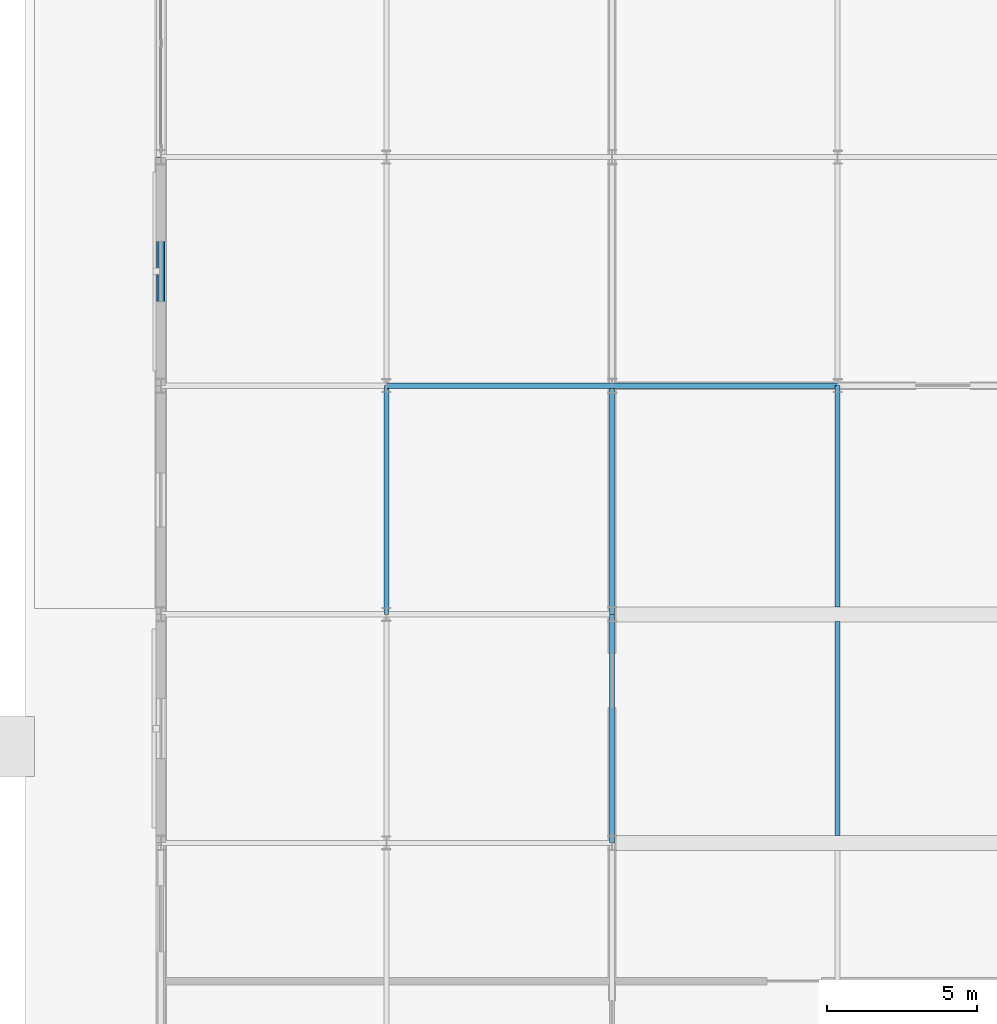
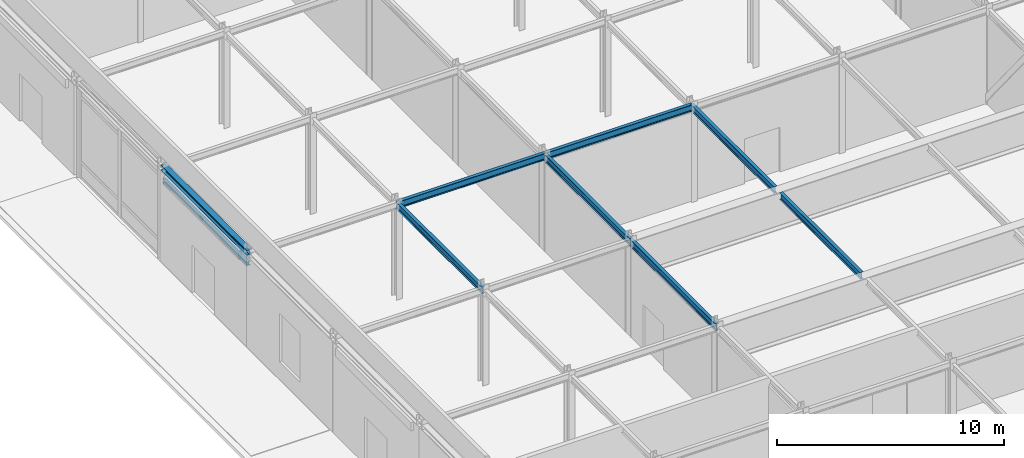
# One storey, part 22 of 89: 9 beams.
"""IFC4 building model written with IfcOpenShell, lengths in metres."""

import ifcopenshell
import ifcopenshell.guid

model = None  # the IFC model being written
_history = None  # IfcOwnerHistory: only IFC2X3 demands one
_inside = {}  # id of a spatial element -> (the spatial element, [elements in it])
_under = {}  # id of a project, library or spatial element -> (it, [spatial elements below it])
_declared = {}  # id of a project -> (the project, [libraries it declares])
_typed = {}  # id of a type object -> (the type object, [elements of that type])
_made_of = {}  # id of a material, layer set ... -> (it, [elements and type objects made of it])


def new_model(schema):
    """Start an empty IFC model of exactly this schema.

    Asked for "IFC4X3", IfcOpenShell would pick the latest addendum, in which some entities
    have other attributes; the version numbers below select the first issue.
    IFC2X3 requires an IfcOwnerHistory on every rooted entity: one is made here for all.
    """
    global model, _history
    if schema == "IFC4X3":
        model = ifcopenshell.file(schema_version=(4, 3, 0, 0))
    else:
        model = ifcopenshell.file(schema=schema)
    _inside.clear()
    _under.clear()
    _declared.clear()
    _typed.clear()
    _made_of.clear()
    _history = None
    if model.schema == "IFC2X3":
        org = make("IfcOrganization", Name="unknown")
        user = make(
            "IfcPersonAndOrganization",
            ThePerson=make("IfcPerson", FamilyName="unknown"),
            TheOrganization=org,
        )
        app = make(
            "IfcApplication",
            ApplicationDeveloper=org,
            Version="unknown",
            ApplicationFullName="unknown",
            ApplicationIdentifier="unknown",
        )
        _history = make(
            "IfcOwnerHistory",
            OwningUser=user,
            OwningApplication=app,
            ChangeAction="ADDED",
            CreationDate=0,
        )
    return model


def make(cls, **values):
    """One entity of the class cls with the attributes given. An attribute that is None is left unset."""
    return model.create_entity(
        cls, **{name: value for name, value in values.items() if value is not None}
    )


def rooted(cls, **values):
    """An entity with a GlobalId (a new one), such as an element, a storey or a relation."""
    return make(cls, GlobalId=ifcopenshell.guid.new(), OwnerHistory=_history, **values)


def si_unit(unit_type, name, prefix=None):
    """IfcSIUnit, for example si_unit("LENGTHUNIT", "METRE", prefix="MILLI")."""
    return make("IfcSIUnit", UnitType=unit_type, Prefix=prefix, Name=name)


def assignment(units):
    """IfcUnitAssignment: the units of a project."""
    return None if units is None else make("IfcUnitAssignment", Units=units)


def point(xyz):
    """IfcCartesianPoint."""
    return None if xyz is None else make("IfcCartesianPoint", Coordinates=xyz)


def direction(xyz):
    """IfcDirection."""
    return None if xyz is None else make("IfcDirection", DirectionRatios=xyz)


def frame(location, z_axis=None, x_axis=None):
    """IfcAxis2Placement3D, a coordinate frame: its origin and axes. An axis left out is left unset."""
    return make(
        "IfcAxis2Placement3D",
        Location=point(location),
        Axis=direction(z_axis),
        RefDirection=direction(x_axis),
    )


def frame_2d(location, x_axis=None):
    """IfcAxis2Placement2D, a coordinate frame in the plane: its origin and x axis."""
    return make(
        "IfcAxis2Placement2D", Location=point(location), RefDirection=direction(x_axis)
    )


def origin():
    """The frame at (0, 0, 0) with its axes left unset."""
    return frame((0.0, 0.0, 0.0))


def origin_2d():
    """The frame at (0, 0) in the plane with its x axis left unset."""
    return frame_2d((0.0, 0.0))


def place(relative_to, where):
    """IfcLocalPlacement: puts the frame where relative to a parent placement (None: the world)."""
    return make(
        "IfcLocalPlacement", PlacementRelTo=relative_to, RelativePlacement=where
    )


def context(
    kind, dimensions, precision=None, world=None, true_north=None, identifier=None
):
    """IfcGeometricRepresentationContext, for example the 3D "Model" context."""
    return make(
        "IfcGeometricRepresentationContext",
        ContextIdentifier=identifier,
        ContextType=kind,
        CoordinateSpaceDimension=dimensions,
        Precision=precision,
        WorldCoordinateSystem=world,
        TrueNorth=true_north,
    )


def subcontext(parent, identifier, kind, view, scale=None):
    """IfcGeometricRepresentationSubContext, for example "Body" below "Model"."""
    return make(
        "IfcGeometricRepresentationSubContext",
        ContextIdentifier=identifier,
        ContextType=kind,
        ParentContext=parent,
        TargetScale=scale,
        TargetView=view,
    )


def project(units=None, contexts=None):
    """IfcProject with its units and contexts."""
    return rooted(
        "IfcProject",
        Name="project",
        RepresentationContexts=contexts,
        UnitsInContext=assignment(units),
    )


def spatial(cls, under=None, at=None, **own):
    """A site, building, storey or space (cls), placed at a placement, below another one or the project."""
    s = rooted(cls, ObjectPlacement=at, **own)
    if under is not None:
        _under.setdefault(under.id(), (under, []))[1].append(s)
    return s


def profile(cls, at=None, kind="AREA", **sizes):
    """A parametric profile (cls). Its sizes go by their IFC names, for example OverallWidth=200.0."""
    return make(cls, ProfileType=kind, Position=at, **sizes)


def i_section(**sizes):
    """IfcIShapeProfileDef."""
    return profile("IfcIShapeProfileDef", **sizes)


def extrude(swept, where, along, depth):
    """IfcExtrudedAreaSolid: the profile swept, set in the frame where, extruded along a direction by depth."""
    return make(
        "IfcExtrudedAreaSolid",
        SweptArea=swept,
        Position=where,
        ExtrudedDirection=direction(along),
        Depth=depth,
    )


def shape(context_of_items, identifier, shape_type, items):
    """IfcShapeRepresentation: the items that make up one representation, for example the "Body"."""
    return make(
        "IfcShapeRepresentation",
        ContextOfItems=context_of_items,
        RepresentationIdentifier=identifier,
        RepresentationType=shape_type,
        Items=items,
    )


def material(Name=None, Category=None):
    """IfcMaterial."""
    return make("IfcMaterial", Name=Name, Category=Category)


def material_profile(
    of_material, cross_section, Name=None, Category=None, Priority=None
):
    """IfcMaterialProfile: a cross section and its material."""
    return make(
        "IfcMaterialProfile",
        Name=Name,
        Material=of_material,
        Profile=cross_section,
        Priority=Priority,
        Category=Category,
    )


def profile_set(profiles, Name=None, composite=None):
    """IfcMaterialProfileSet."""
    return make(
        "IfcMaterialProfileSet",
        Name=Name,
        MaterialProfiles=profiles,
        CompositeProfile=composite,
    )


def made_of(thing, what):
    """Note that an element or type object is made of a material, layer set ...; save() writes the relation."""
    if what is not None:
        _made_of.setdefault(what.id(), (what, []))[1].append(thing)
    return thing


def type_object(cls, material=None, **own):
    """A type object (cls), such as IfcWallType, which elements share."""
    return made_of(rooted(cls, **own), material)


def element(
    cls,
    number,
    at=None,
    inside=None,
    cuts=None,
    type_object=None,
    material=None,
    context=None,
    identifier="Body",
    shape_type=None,
    held_by="IfcProductDefinitionShape",
    body=None,
    shapes=None,
    **own,
):
    """One element of the class cls, such as IfcWall. Its Tag is "e" and its number.

    at: its placement. inside: the storey or other place that contains it. cuts: it is an
    opening in that element (IfcRelVoidsElement). A single representation is given by context,
    identifier, shape_type and body (its items); several are given by shapes. held_by: the class
    of the entity that holds the representations. save() writes the other relations.
    """
    e = rooted(cls, Tag="e%d" % number, ObjectPlacement=at, **own)
    if body is not None:
        shapes = [shape(context, identifier, shape_type, body)]
    if shapes is not None:
        e.Representation = make(held_by, Representations=shapes)
    if inside is not None:
        _inside.setdefault(inside.id(), (inside, []))[1].append(e)
    if cuts is not None:
        rooted(
            "IfcRelVoidsElement", RelatingBuildingElement=cuts, RelatedOpeningElement=e
        )
    if type_object is not None:
        _typed.setdefault(type_object.id(), (type_object, []))[1].append(e)
    return made_of(e, material)


def aggregate(whole, parts):
    """IfcRelAggregates: a whole, such as a stair, and the parts it consists of."""
    return rooted("IfcRelAggregates", RelatingObject=whole, RelatedObjects=parts)


def save(model, path):
    """Write the relations noted so far, then the file.

    IfcRelAggregates (storeys below a building ...), IfcRelContainedInSpatialStructure (elements
    in a storey), IfcRelDefinesByType, IfcRelAssociatesMaterial and IfcRelDeclares: one each for
    every whole, place, type object, material and project.
    """
    for whole, parts in _under.values():
        aggregate(whole, parts)
    for where, things in _inside.values():
        rooted(
            "IfcRelContainedInSpatialStructure",
            RelatedElements=things,
            RelatingStructure=where,
        )
    for kind, things in _typed.values():
        rooted("IfcRelDefinesByType", RelatedObjects=things, RelatingType=kind)
    for what, things in _made_of.values():
        rooted("IfcRelAssociatesMaterial", RelatedObjects=things, RelatingMaterial=what)
    for by, libraries in _declared.values():
        rooted("IfcRelDeclares", RelatingContext=by, RelatedDefinitions=libraries)
    model.write(path)


model = new_model("IFC4")

# Units and contexts
model_context = context("Model", 3, precision=1e-05, world=origin(), true_north=direction((0.0, 1.0)))
body_context = subcontext(model_context, "Body", "Model", "MODEL_VIEW")
ifc_project = project(units=[si_unit("LENGTHUNIT", "METRE"), si_unit("AREAUNIT", "SQUARE_METRE"), si_unit("VOLUMEUNIT", "CUBIC_METRE"), si_unit("PLANEANGLEUNIT", "RADIAN"), si_unit("MASSUNIT", "GRAM", prefix="KILO")], contexts=[model_context])

# Site, building, storey
site_placement = place(None, origin())
site = spatial("IfcSite", under=ifc_project, at=site_placement, CompositionType="ELEMENT")
building_placement = place(site_placement, origin())
building = spatial("IfcBuilding", under=site, at=building_placement, Name="Shalkamar Park Central Library", CompositionType="ELEMENT")
storey_placement = place(building_placement, origin())
storey = spatial("IfcBuildingStorey", under=building, at=storey_placement, Name="L01", CompositionType="ELEMENT", Elevation=0.0)

# Beams
ifc_material = material(Name="Steel S355", Category="steel")
ifc_material_profile_1 = material_profile(ifc_material, i_section(OverallWidth=0.199951171875, OverallDepth=0.18994140625, WebThickness=0.006591796875, FlangeThickness=0.010009765625, FilletRadius=0.01806640625, at=origin_2d()), Name="HEA 200")
ifc_profile_set_1 = profile_set([ifc_material_profile_1], Name="Steel S355")
beam_type_1 = type_object("IfcBeamType", Name="Opening Lintel Beam HEA200", PredefinedType="LINTEL", material=ifc_profile_set_1)
beam_1_placement = place(storey_placement, frame((120.0, 278.080078125, 4.35009765625), z_axis=(0.0, 1.0, 0.0), x_axis=(-1.0, 0.0, 0.0)))
element("IfcBeam", 1, at=beam_1_placement, inside=storey, type_object=beam_type_1, Name="Opening Lintel L01-19", PredefinedType="LINTEL", context=body_context, shape_type="SweptSolid", body=[
    extrude(i_section(OverallWidth=0.199951171875, OverallDepth=0.18994140625, WebThickness=0.006591796875, FlangeThickness=0.010009765625, FilletRadius=0.01806640625, at=origin_2d()), origin(), (0.0, 0.0, 1.0), 7.43994140625),
])
ifc_material_profile_2 = material_profile(ifc_material, i_section(OverallWidth=0.280029296875, OverallDepth=0.27001953125, WebThickness=0.008056640625, FlangeThickness=0.012939453125, FilletRadius=0.02392578125, at=origin_2d()), Name="HEA 280")
ifc_profile_set_2 = profile_set([ifc_material_profile_2], Name="Steel S355")
beam_type_2 = type_object("IfcBeamType", Name="Perimeter Spandrel Beam HEA280", PredefinedType="SPANDREL", material=ifc_profile_set_2)
beam_2_placement = place(storey_placement, frame((120.0, 278.0, 5.014892578125), z_axis=(0.0, 1.0, 0.0), x_axis=(-1.0, 0.0, 0.0)))
element("IfcBeam", 2, at=beam_2_placement, inside=storey, type_object=beam_type_2, Name="Beam 01:F-G (L01)", PredefinedType="SPANDREL", context=body_context, shape_type="SweptSolid", body=[
    extrude(i_section(OverallWidth=0.280029296875, OverallDepth=0.27001953125, WebThickness=0.008056640625, FlangeThickness=0.012939453125, FilletRadius=0.02392578125, at=origin_2d()), origin(), (0.0, 0.0, 1.0), 7.60009765625),
])
ifc_material_profile_3 = material_profile(ifc_material, i_section(OverallWidth=0.169921875, OverallDepth=0.360107421875, WebThickness=0.008056640625, FlangeThickness=0.0126953125, FilletRadius=0.01806640625, at=origin_2d()), Name="IPE 360")
ifc_profile_set_3 = profile_set([ifc_material_profile_3], Name="Steel S355")
beam_type_3 = type_object("IfcBeamType", Name="Primary Girder IPE360", PredefinedType="BEAM", material=ifc_profile_set_3)
for number, where, z_axis, x_axis, name in (
    (3, (127.5, 278.0, 4.9599609375), (1.0, 0.0, 0.0), (0.0, 1.0, 0.0), "Beam F:02-03 (L01)"),
    (4, (135.0, 278.0, 4.9599609375), (1.0, 0.0, 0.0), (0.0, 1.0, 0.0), "Beam F:03-04 (L01)"),
):
    element("IfcBeam", number, at=place(storey_placement, frame(where, z_axis=z_axis, x_axis=x_axis)), inside=storey, type_object=beam_type_3, Name=name, PredefinedType="BEAM", context=body_context, shape_type="SweptSolid", body=[
        extrude(i_section(OverallWidth=0.169921875, OverallDepth=0.360107421875, WebThickness=0.008056640625, FlangeThickness=0.0126953125, FilletRadius=0.01806640625, at=origin_2d()), origin(), (0.0, 0.0, 1.0), 7.5),
    ])
beam_3_placement = place(storey_placement, frame((127.5, 270.39990234375, 4.969970703125), z_axis=(0.0, 1.0, 0.0), x_axis=(-1.0, 0.0, 0.0)))
element("IfcBeam", 5, at=beam_3_placement, inside=storey, type_object=beam_type_3, Name="Beam 02:E-F (L01)", PredefinedType="BEAM", context=body_context, shape_type="SweptSolid", body=[
    extrude(i_section(OverallWidth=0.169921875, OverallDepth=0.360107421875, WebThickness=0.008056640625, FlangeThickness=0.0126953125, FilletRadius=0.01806640625, at=origin_2d()), origin(), (0.0, 0.0, 1.0), 7.60009765625),
])
beam_4_placement = place(storey_placement, frame((135.0, 262.800048828125, 4.9599609375), z_axis=(0.0, 1.0, 0.0), x_axis=(-1.0, 0.0, 0.0)))
element("IfcBeam", 6, at=beam_4_placement, inside=storey, type_object=beam_type_3, Name="Beam 03:D-E (L01)", PredefinedType="BEAM", context=body_context, shape_type="SweptSolid", body=[
    extrude(i_section(OverallWidth=0.169921875, OverallDepth=0.360107421875, WebThickness=0.008056640625, FlangeThickness=0.0126953125, FilletRadius=0.01806640625, at=origin_2d()), origin(), (0.0, 0.0, 1.0), 7.599853515625),
])
beam_5_placement = place(storey_placement, frame((135.0, 270.39990234375, 4.9599609375), z_axis=(0.0, 1.0, 0.0), x_axis=(-1.0, 0.0, 0.0)))
element("IfcBeam", 7, at=beam_5_placement, inside=storey, type_object=beam_type_3, Name="Beam 03:E-F (L01)", PredefinedType="BEAM", context=body_context, shape_type="SweptSolid", body=[
    extrude(i_section(OverallWidth=0.169921875, OverallDepth=0.360107421875, WebThickness=0.008056640625, FlangeThickness=0.0126953125, FilletRadius=0.01806640625, at=origin_2d()), origin(), (0.0, 0.0, 1.0), 7.60009765625),
])
beam_6_placement = place(storey_placement, frame((142.5, 263.048095703125, 4.9599609375), z_axis=(0.0, 1.0, 0.0), x_axis=(-1.0, 0.0, 0.0)))
element("IfcBeam", 8, at=beam_6_placement, inside=storey, type_object=beam_type_3, Name="Beam 04:D-E (L01)", PredefinedType="BEAM", context=body_context, shape_type="SweptSolid", body=[
    extrude(i_section(OverallWidth=0.169921875, OverallDepth=0.360107421875, WebThickness=0.008056640625, FlangeThickness=0.0126953125, FilletRadius=0.01806640625, at=origin_2d()), origin(), (0.0, 0.0, 1.0), 7.10400390625),
])
beam_7_placement = place(storey_placement, frame((142.5, 270.64794921875, 4.9599609375), z_axis=(0.0, 1.0, 0.0), x_axis=(-1.0, 0.0, 0.0)))
element("IfcBeam", 9, at=beam_7_placement, inside=storey, type_object=beam_type_3, Name="Beam 04:E-F (L01)", PredefinedType="BEAM", context=body_context, shape_type="SweptSolid", body=[
    extrude(i_section(OverallWidth=0.169921875, OverallDepth=0.360107421875, WebThickness=0.008056640625, FlangeThickness=0.0126953125, FilletRadius=0.01806640625, at=origin_2d()), origin(), (0.0, 0.0, 1.0), 7.35205078125),
])

save(model, "model.ifc")
